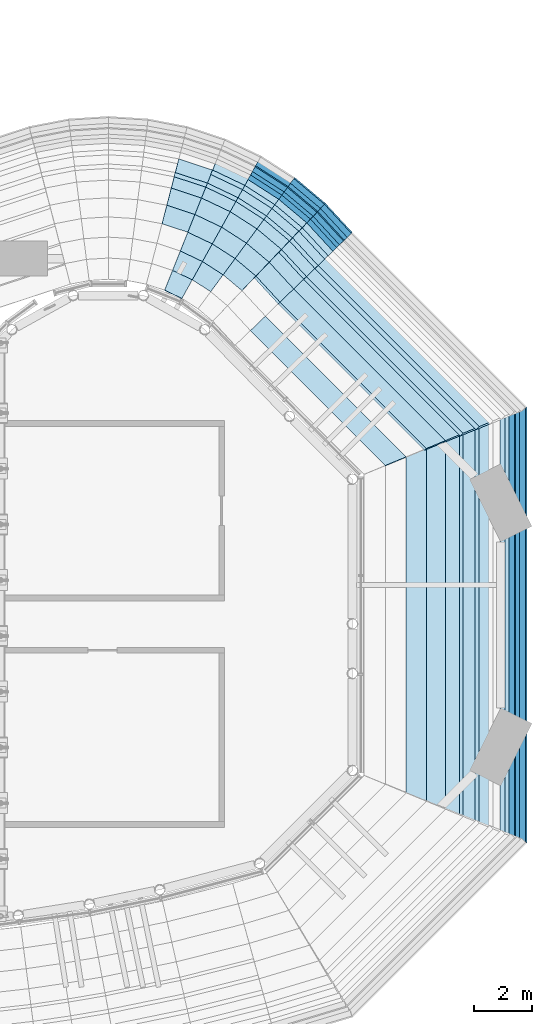
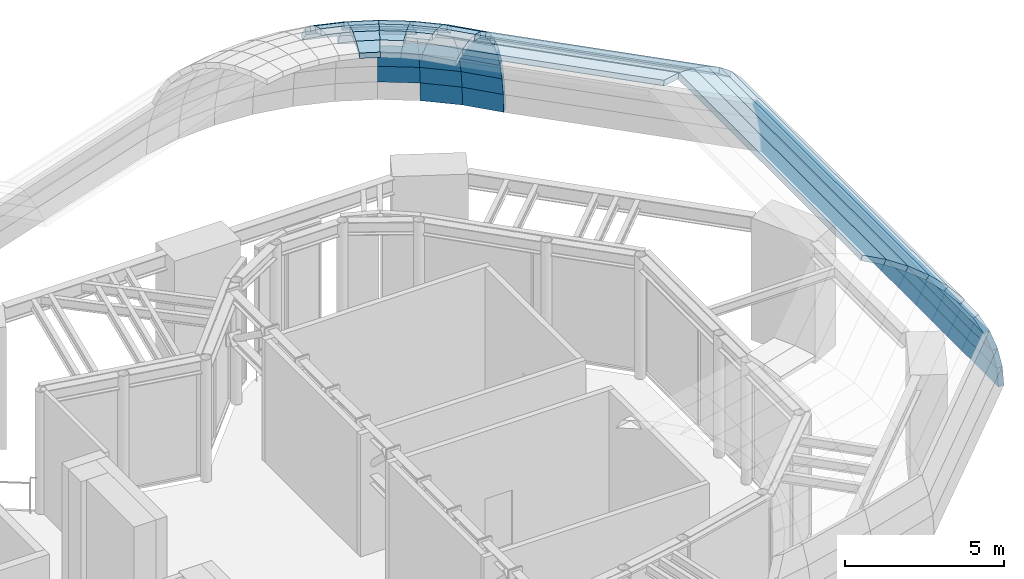
# One storey, part 14 of 20: 55 plates.
"""IFC4 building model written with IfcOpenShell, lengths in metres."""

from ifc_helpers import new_model, si_unit, direction, frame, origin, place, context, subcontext, project, spatial, polyline, outline, extrude, material, layer, layer_set, type_object, element, save


model = new_model("IFC4")

# Units and contexts
model_context = context("Model", 3, precision=1e-05, world=origin(), true_north=direction((0.0, 1.0)))
body_context = subcontext(model_context, "Body", "Model", "MODEL_VIEW")
ifc_project = project(units=[si_unit("LENGTHUNIT", "METRE"), si_unit("AREAUNIT", "SQUARE_METRE"), si_unit("VOLUMEUNIT", "CUBIC_METRE"), si_unit("PLANEANGLEUNIT", "RADIAN"), si_unit("MASSUNIT", "GRAM", prefix="KILO")], contexts=[model_context])

# Site, building, storey
site_placement = place(None, origin())
site = spatial("IfcSite", under=ifc_project, at=site_placement, CompositionType="ELEMENT")
building_placement = place(site_placement, origin())
building = spatial("IfcBuilding", under=site, at=building_placement, Name="Brevane Broadcast Tower", CompositionType="ELEMENT")
storey_placement = place(building_placement, frame((0.0, 0.0, 264.199951171875)))
storey = spatial("IfcBuildingStorey", under=building, at=storey_placement, Name="L66", CompositionType="ELEMENT", Elevation=264.199951171875)

# Plates
ifc_material = material(Name="Aluminium bronze anodised", Category="aluminium")
ifc_layer = layer(ifc_material, 0.199951171875)
ifc_layer_set = layer_set([ifc_layer], Name="Canopy shoulder plate 200")
plate_type = type_object("IfcPlateType", Name="Canopy shoulder plate 200", PredefinedType="SHEET", material=ifc_layer_set)
plate_1_placement = place(storey_placement, frame((51.300048828125, 5.10009765625, 5.150146484375), z_axis=(0.997864077995, 0.0, 0.0653244353), x_axis=(0.0, 1.0, 0.0)))
element("IfcPlate", 1, at=plate_1_placement, inside=storey, type_object=plate_type, Name="Canopy shoulder", PredefinedType="SHEET", context=body_context, shape_type="SweptSolid", body=[
    extrude(outline(polyline([(0.0, 0.0), (15.0, 0.0), (14.97998046875, 0.7325216403407512), (0.019775390625, 0.7325216403407512), (0.0, 0.0)])), origin(), (0.0, 0.0, -1.0), 0.199951171875),
])
plate_2_placement = place(storey_placement, frame((51.252197265625, 5.119873046875, 5.881103515625), z_axis=(0.980734230685, 0.0, 0.19534679102), x_axis=(0.0, 1.0, 0.0)))
element("IfcPlate", 2, at=plate_2_placement, inside=storey, type_object=plate_type, Name="Canopy shoulder", PredefinedType="SHEET", context=body_context, shape_type="SweptSolid", body=[
    extrude(outline(polyline([(0.0, 0.0), (14.960205078125, 0.0), (14.901123046875, 0.7323714175327941), (0.05908203125, 0.7323714175327941), (0.0, 0.0)])), origin(), (0.0, 0.0, -1.0), 0.199951171875),
])
plate_3_placement = place(storey_placement, frame((51.109130859375, 5.178955078125, 6.599365234375), z_axis=(0.946969644848, 0.0, 0.32132303331), x_axis=(0.0, 1.0, 0.0)))
element("IfcPlate", 3, at=plate_3_placement, inside=storey, type_object=plate_type, Name="Canopy shoulder", PredefinedType="SHEET", context=body_context, shape_type="SweptSolid", body=[
    extrude(outline(polyline([(0.0, 0.0), (14.842041015625, 0.0), (14.744384765625, 0.7324453528138131), (0.09765625, 0.7324453528138131), (0.0, 0.0)])), origin(), (0.0, 0.0, -1.0), 0.199951171875),
])
plate_4_placement = place(storey_placement, frame((50.873779296875, 5.276611328125, 7.29296875), z_axis=(0.896879925781, 0.0, 0.442274121706), x_axis=(0.0, 1.0, 0.0)))
element("IfcPlate", 4, at=plate_4_placement, inside=storey, type_object=plate_type, Name="Canopy shoulder", PredefinedType="SHEET", context=body_context, shape_type="SweptSolid", body=[
    extrude(outline(polyline([(0.0, 0.0), (14.646728515625, 0.0), (14.5126953125, 0.7325199315871372), (0.13427734375, 0.7325199315871372), (0.0, 0.0)])), origin(), (0.0, 0.0, -1.0), 0.199951171875),
])
plate_5_placement = place(storey_placement, frame((50.142822265625, 5.579345703125, 8.55908203125), z_axis=(0.751915623092, 0.0, 0.659259353934), x_axis=(0.0, 1.0, 0.0)))
element("IfcPlate", 5, at=plate_5_placement, inside=storey, type_object=plate_type, Name="Canopy shoulder", PredefinedType="SHEET", context=body_context, shape_type="SweptSolid", body=[
    extrude(outline(polyline([(0.0, 0.0), (14.041259765625, 0.0), (13.84130859375, 0.7325040643989369), (0.199951171875, 0.7325040643989369), (0.0, 0.0)])), origin(), (0.0, 0.0, -1.0), 0.199951171875),
])
plate_6_placement = place(storey_placement, frame((49.659912109375, 5.779296875, 9.10986328125), z_axis=(0.659259353934, 0.0, 0.751915623092), x_axis=(0.0, 1.0, 0.0)))
element("IfcPlate", 6, at=plate_6_placement, inside=storey, type_object=plate_type, Name="Canopy shoulder", PredefinedType="SHEET", context=body_context, shape_type="SweptSolid", body=[
    extrude(outline(polyline([(0.0, 0.0), (13.641357421875, 0.0), (13.4130859375, 0.732504064398937), (0.228271484375, 0.732504064398937), (0.0, 0.0)])), origin(), (0.0, 0.0, -1.0), 0.199951171875),
])
plate_7_placement = place(storey_placement, frame((49.109130859375, 6.007568359375, 9.5927734375), z_axis=(0.555545879432, 0.0, 0.831485884333), x_axis=(0.0, 1.0, 0.0)))
element("IfcPlate", 7, at=plate_7_placement, inside=storey, type_object=plate_type, Name="Canopy shoulder", PredefinedType="SHEET", context=body_context, shape_type="SweptSolid", body=[
    extrude(outline(polyline([(0.0, 0.0), (13.184814453125, 0.0), (12.9326171875, 0.7325811187562551), (0.252197265625, 0.7325811187562551), (0.0, 0.0)])), origin(), (0.0, 0.0, -1.0), 0.199951171875),
])
plate_8_placement = place(storey_placement, frame((48.5, 6.259765625, 9.999755859375), z_axis=(0.442274121706, 0.0, 0.896879925781), x_axis=(0.0, 1.0, 0.0)))
element("IfcPlate", 8, at=plate_8_placement, inside=storey, type_object=plate_type, Name="Canopy shoulder", PredefinedType="SHEET", context=body_context, shape_type="SweptSolid", body=[
    extrude(outline(polyline([(0.0, 0.0), (12.680419921875, 0.0), (12.408203125, 0.7325199315871374), (0.272216796875, 0.7325199315871374), (0.0, 0.0)])), origin(), (0.0, 0.0, -1.0), 0.199951171875),
])
plate_9_placement = place(storey_placement, frame((47.843017578125, 6.531982421875, 10.32373046875), z_axis=(0.321621892869, 0.0, 0.946868184082), x_axis=(0.0, 1.0, 0.0)))
element("IfcPlate", 9, at=plate_9_placement, inside=storey, type_object=plate_type, Name="Canopy shoulder", PredefinedType="SHEET", context=body_context, shape_type="SweptSolid", body=[
    extrude(outline(polyline([(0.0, 0.0), (12.135986328125, 0.0), (11.848876953125, 0.7325238373038263), (0.287353515625, 0.7325238373038263), (0.0, 0.0)])), origin(), (0.0, 0.0, -1.0), 0.199951171875),
])
plate_10_placement = place(storey_placement, frame((50.142822265625, 19.62060546875, 8.55908203125), z_axis=(0.531664067852, 0.531675636329, 0.659283199157), x_axis=(-0.707111130301, 0.707102432025, -5.393035e-06)))
element("IfcPlate", 10, at=plate_10_placement, inside=storey, type_object=plate_type, Name="Canopy shoulder", PredefinedType="SHEET", context=body_context, shape_type="SweptSolid", body=[
    extrude(outline(polyline([(0.0, 0.0), (8.029183689425292, -4.440892098500626e-16), (8.03885116548692, 0.732582092154453), (0.20008221611864369, 0.7324682777938911), (0.0, 0.0)])), origin(), (0.0, 0.0, -1.0), 0.199951171875),
])
plate_11_placement = place(storey_placement, frame((49.659912109375, 19.420654296875, 9.10986328125), z_axis=(0.466159367779, 0.466169778234, 0.751918334457), x_axis=(-0.707119017126, 0.707094545015, 5.381871e-06)))
element("IfcPlate", 11, at=plate_11_placement, inside=storey, type_object=plate_type, Name="Canopy shoulder", PredefinedType="SHEET", context=body_context, shape_type="SweptSolid", body=[
    extrude(outline(polyline([(0.0, 0.0), (7.838768950268908, 0.0), (7.849829622228561, 0.732443417991606), (0.2280609737276204, 0.7325696308571883), (0.0, 0.0)])), origin(), (0.0, 0.0, -1.0), 0.199951171875),
])
plate_12_placement = place(storey_placement, frame((49.109130859375, 19.1923828125, 9.5927734375), z_axis=(0.392865886395, 0.392865886395, 0.831452217878), x_axis=(-0.707106781187, 0.707106781187, 0.0)))
element("IfcPlate", 12, at=plate_12_placement, inside=storey, type_object=plate_type, Name="Canopy shoulder", PredefinedType="SHEET", context=body_context, shape_type="SweptSolid", body=[
    extrude(outline(polyline([(0.0, 0.0), (7.62176864975246, 0.0), (7.633852994157504, 0.7325146832475433), (0.2523901645739093, 0.7325146832475431), (0.0, 0.0)])), origin(), (0.0, 0.0, -1.0), 0.199951171875),
])
plate_13_placement = place(storey_placement, frame((48.5, 18.940185546875, 9.999755859375), z_axis=(0.312711810144, 0.312711810144, 0.896896118619), x_axis=(-0.707106781187, 0.707106781187, 0.0)))
element("IfcPlate", 13, at=plate_13_placement, inside=storey, type_object=plate_type, Name="Canopy shoulder", PredefinedType="SHEET", context=body_context, shape_type="SweptSolid", body=[
    extrude(outline(polyline([(0.0, 0.0), (7.381462829583594, 0.0), (7.3945829749376415, 0.7325743249544642), (0.2720703826049802, 0.7325743249544643), (0.0, 0.0)])), origin(), (0.0, 0.0, -1.0), 0.199951171875),
])
plate_14_placement = place(storey_placement, frame((47.1494140625, 18.380859375, 10.559326171875), z_axis=(0.137874720652, 0.137878269368, 0.980805864706), x_axis=(-0.707124272678, 0.707089289258, 2.359356e-06)))
element("IfcPlate", 14, at=plate_14_placement, inside=storey, type_object=plate_type, Name="Canopy shoulder", PredefinedType="SHEET", context=body_context, shape_type="SweptSolid", body=[
    extrude(outline(polyline([(0.0, 0.0), (6.848888510460064, 8.881784197001252e-16), (6.863235196507012, 0.7323883775172259), (0.2976382497824399, 0.7325506938530353), (0.0, 0.0)])), origin(), (0.0, 0.0, -1.0), 0.199951171875),
])
plate_15_placement = place(storey_placement, frame((45.300048828125, 26.10009765625, 5.150146484375), z_axis=(0.733222929886, 0.676841655912, 0.065341471597), x_axis=(-0.678291489058, 0.734792933984, 6.22475e-06)))
element("IfcPlate", 15, at=plate_15_placement, inside=storey, type_object=plate_type, Name="Canopy shoulder", PredefinedType="SHEET", context=body_context, shape_type="SweptSolid", body=[
    extrude(outline(polyline([(0.0, 0.0), (1.373009383295393, 6.938893903907228e-18), (1.3698959534367836, 0.7325139136481083), (-0.000877883465223185, 0.7325310295904934), (0.0, 0.0)])), origin(), (0.0, 0.0, -1.0), 0.199951171875),
])
plate_16_placement = place(storey_placement, frame((45.265380859375, 26.06689453125, 5.881103515625), z_axis=(0.72069278937, 0.665194279901, 0.195239528111), x_axis=(-0.678245754364, 0.734835149297, -6.727076e-06)))
element("IfcPlate", 16, at=plate_16_placement, inside=storey, type_object=plate_type, Name="Canopy shoulder", PredefinedType="SHEET", context=body_context, shape_type="SweptSolid", body=[
    extrude(outline(polyline([(0.0, 0.0), (1.3707738424356546, 0.0), (1.361585561432007, 0.732364807118011), (-0.0029646370434851417, 0.7323460453259392), (0.0, 0.0)])), origin(), (0.0, 0.0, -1.0), 0.199951171875),
])
plate_17_placement = place(storey_placement, frame((45.162353515625, 25.9677734375, 6.599365234375), z_axis=(0.695816488052, 0.642331388335, 0.321325072964), x_axis=(-0.678299401534, 0.734785629776, -1.2343511e-05)))
element("IfcPlate", 17, at=plate_17_placement, inside=storey, type_object=plate_type, Name="Canopy shoulder", PredefinedType="SHEET", context=body_context, shape_type="SweptSolid", body=[
    extrude(outline(polyline([(0.0, 0.0), (1.3645501984150537, 0.0), (1.3496028052743954, 0.7324634799287615), (-0.004749459115749091, 0.7324280396944589), (0.0, 0.0)])), origin(), (0.0, 0.0, -1.0), 0.199951171875),
])
plate_18_placement = place(storey_placement, frame((44.99267578125, 25.8046875, 7.29296875), z_axis=(0.658987468051, 0.608283623407, 0.442409934841), x_axis=(-0.67828430696, 0.734799563068, 3.2362207e-05)))
element("IfcPlate", 18, at=plate_18_placement, inside=storey, type_object=plate_type, Name="Canopy shoulder", PredefinedType="SHEET", context=body_context, shape_type="SweptSolid", body=[
    extrude(outline(polyline([(0.0, 0.0), (1.3543522622447308, 0.0), (1.333813907951736, 0.7325265144579414), (-0.006379918275601552, 0.7326237492916), (0.0, 0.0)])), origin(), (0.0, 0.0, -1.0), 0.199951171875),
])
plate_19_placement = place(storey_placement, frame((44.7587890625, 25.580078125, 7.949951171875), z_axis=(0.611004174919, 0.563962800334, 0.555535649684), x_axis=(-0.678240655056, 0.734839855445, -2.6048436e-05)))
element("IfcPlate", 19, at=plate_19_placement, inside=storey, type_object=plate_type, Name="Canopy shoulder", PredefinedType="SHEET", context=body_context, shape_type="SweptSolid", body=[
    extrude(outline(polyline([(0.0, 0.0), (1.3401938319431954, 0.0), (1.3141989831149223, 0.7326162677108528), (-0.008193299928911765, 0.7325328560323205), (0.0, 0.0)])), origin(), (0.0, 0.0, -1.0), 0.199951171875),
])
plate_20_placement = place(storey_placement, frame((44.46533203125, 25.298095703125, 8.55908203125), z_axis=(0.552427856821, 0.509965692823, 0.65936215781), x_axis=(-0.678299876201, 0.734785191683, -5.296727e-06)))
element("IfcPlate", 20, at=plate_20_placement, inside=storey, type_object=plate_type, Name="Canopy shoulder", PredefinedType="SHEET", context=body_context, shape_type="SweptSolid", body=[
    extrude(outline(polyline([(0.0, 0.0), (1.322392287124903, 5.551115123125783e-17), (1.291849957102851, 0.7326009970537675), (-0.009635870086570957, 0.7325825114261719), (0.0, 0.0)])), origin(), (0.0, 0.0, -1.0), 0.199951171875),
])
plate_21_placement = place(storey_placement, frame((44.116943359375, 24.96337890625, 9.10986328125), z_axis=(0.48441619483, 0.447215827337, 0.751890253937), x_axis=(-0.678319938861, 0.734766670694, -1.3460572e-05)))
element("IfcPlate", 21, at=plate_21_placement, inside=storey, type_object=plate_type, Name="Canopy shoulder", PredefinedType="SHEET", context=body_context, shape_type="SweptSolid", body=[
    extrude(outline(polyline([(0.0, 0.0), (1.3014858271554965, 1.1102230246251565e-16), (1.2663476939417935, 0.7324977726306947), (-0.010947361030028215, 0.7324451221183281), (0.0, 0.0)])), origin(), (0.0, 0.0, -1.0), 0.199951171875),
])
plate_22_placement = place(storey_placement, frame((43.7197265625, 24.581787109375, 9.5927734375), z_axis=(0.408292029663, 0.376901460948, 0.831410191933), x_axis=(-0.678334441905, 0.734753280845, 3.4833695e-05)))
element("IfcPlate", 22, at=plate_22_placement, inside=storey, type_object=plate_type, Name="Canopy shoulder", PredefinedType="SHEET", context=body_context, shape_type="SweptSolid", body=[
    extrude(outline(polyline([(0.0, 0.0), (1.2772950551484032, 0.0), (1.238660057171865, 0.7323541318457716), (-0.012208665484423837, 0.7325126198067742), (0.0, 0.0)])), origin(), (0.0, 0.0, -1.0), 0.199951171875),
])
plate_23_placement = place(storey_placement, frame((43.280517578125, 24.15966796875, 9.999755859375), z_axis=(0.324955611184, 0.299942235955, 0.896904959207), x_axis=(-0.678243487473, 0.73483724156, -1.0813066e-05)))
element("IfcPlate", 23, at=plate_23_placement, inside=storey, type_object=plate_type, Name="Canopy shoulder", PredefinedType="SHEET", context=body_context, shape_type="SweptSolid", body=[
    extrude(outline(polyline([(0.0, 0.0), (1.2508687337505258, -2.220446049250313e-16), (1.209171362279284, 0.7326335932940791), (-0.013187303530682924, 0.732573118940881), (0.0, 0.0)])), origin(), (0.0, 0.0, -1.0), 0.199951171875),
])
plate_24_placement = place(storey_placement, frame((44.36865234375, 27.10888671875, 5.150146484375), z_axis=(0.641568562908, 0.76428022151, 0.06531096459), x_axis=(-0.765915285673, 0.642941502121, -4.662625e-06)))
element("IfcPlate", 24, at=plate_24_placement, inside=storey, type_object=plate_type, Name="Canopy shoulder", PredefinedType="SHEET", context=body_context, shape_type="SweptSolid", body=[
    extrude(outline(polyline([(0.0, 0.0), (1.3729671892251556, 0.0), (1.3696968069989914, 0.7325273931062929), (0.002950905850949638, 0.7325145915197072), (0.0, 0.0)])), origin(), (0.0, 0.0, -1.0), 0.199951171875),
])
plate_25_placement = place(storey_placement, frame((44.335693359375, 27.07421875, 5.881103515625), z_axis=(0.630561258998, 0.751188835883, 0.195212272912), x_axis=(-0.765925864054, 0.642928900152, 1.1090881e-05)))
element("IfcPlate", 25, at=plate_25_placement, inside=storey, type_object=plate_type, Name="Canopy shoulder", PredefinedType="SHEET", context=body_context, shape_type="SweptSolid", body=[
    extrude(outline(polyline([(0.0, 0.0), (1.366745902516871, 0.0), (1.3577401381590903, 0.732336062803743), (0.009030229919124179, 0.732366770383175), (0.0, 0.0)])), origin(), (0.0, 0.0, -1.0), 0.199951171875),
])
plate_26_placement = place(storey_placement, frame((44.23681640625, 26.970458984375, 6.599365234375), z_axis=(0.608857546363, 0.725255508607, 0.321398406143), x_axis=(-0.765890149506, 0.642971444846, -1.820295e-06)))
element("IfcPlate", 26, at=plate_26_placement, inside=storey, type_object=plate_type, Name="Canopy shoulder", PredefinedType="SHEET", context=body_context, shape_type="SweptSolid", body=[
    extrude(outline(polyline([(0.0, 0.0), (1.3487099108032583, 0.0), (1.3337240954024987, 0.7324677012595654), (0.014991825760455563, 0.7324625736792005), (0.0, 0.0)])), origin(), (0.0, 0.0, -1.0), 0.199951171875),
])
plate_27_placement = place(storey_placement, frame((44.073974609375, 26.7998046875, 7.29296875), z_axis=(0.576602888866, 0.686913928597, 0.442355471596), x_axis=(-0.765920732348, 0.642935013321, -2.0139727e-05)))
element("IfcPlate", 27, at=plate_27_placement, inside=storey, type_object=plate_type, Name="Canopy shoulder", PredefinedType="SHEET", context=body_context, shape_type="SweptSolid", body=[
    extrude(outline(polyline([(0.0, 0.0), (1.3187322683073788, 0.0), (1.2981448324066718, 0.7325818527298055), (0.0206439339539965, 0.7325235508719745), (0.0, 0.0)])), origin(), (0.0, 0.0, -1.0), 0.199951171875),
])
plate_28_placement = place(storey_placement, frame((43.849853515625, 26.56494140625, 7.949951171875), z_axis=(0.534605341377, 0.63685580937, 0.555528403453), x_axis=(-0.765928601505, 0.642925638217, 3.3470452e-05)))
element("IfcPlate", 28, at=plate_28_placement, inside=storey, type_object=plate_type, Name="Canopy shoulder", PredefinedType="SHEET", context=body_context, shape_type="SweptSolid", body=[
    extrude(outline(polyline([(0.0, 0.0), (1.2775008988752312, 0.0), (1.251872650610228, 0.73252044038389), (0.025855002370509854, 0.7326212150608569), (0.0, 0.0)])), origin(), (0.0, 0.0, -1.0), 0.199951171875),
])
plate_29_placement = place(storey_placement, frame((43.568359375, 26.269775390625, 8.55908203125), z_axis=(0.483502238213, 0.575810003514, 0.659293884012), x_axis=(-0.765840732961, 0.643030303004, 3.4017408e-05)))
element("IfcPlate", 29, at=plate_29_placement, inside=storey, type_object=plate_type, Name="Canopy shoulder", PredefinedType="SHEET", context=body_context, shape_type="SweptSolid", body=[
    extrude(outline(polyline([(0.0, 0.0), (1.2260176531654805, -5.551115123125783e-17), (1.1951737178402786, 0.7324794881379233), (0.030861145553942385, 0.7325876334020776), (0.0, 0.0)])), origin(), (0.0, 0.0, -1.0), 0.199951171875),
])
plate_30_placement = place(storey_placement, frame((43.234130859375, 25.919677734375, 9.10986328125), z_axis=(0.423962536336, 0.504836062174, 0.751928399591), x_axis=(-0.765776952233, 0.643106258264, -3.314206e-06)))
element("IfcPlate", 30, at=plate_30_placement, inside=storey, type_object=plate_type, Name="Canopy shoulder", PredefinedType="SHEET", context=body_context, shape_type="SweptSolid", body=[
    extrude(outline(polyline([(0.0, 0.0), (1.1643125790159294, -1.1102230246251565e-16), (1.129265447034805, 0.7325259333895964), (0.03478604772090703, 0.7325145778175115), (0.0, 0.0)])), origin(), (0.0, 0.0, -1.0), 0.199951171875),
])
plate_31_placement = place(storey_placement, frame((42.853271484375, 25.520263671875, 9.5927734375), z_axis=(0.357247314737, 0.425536092936, 0.831440550925), x_axis=(-0.765815080909, 0.643060849847, -7.2428899e-05)))
element("IfcPlate", 31, at=plate_31_placement, inside=storey, type_object=plate_type, Name="Canopy shoulder", PredefinedType="SHEET", context=body_context, shape_type="SweptSolid", body=[
    extrude(outline(polyline([(0.0, 0.0), (1.0944793952320575, 0.0), (1.0556858247418297, 0.7326292888848147), (0.038636781999685184, 0.732354033477333), (0.0, 0.0)])), origin(), (0.0, 0.0, -1.0), 0.199951171875),
])
plate_32_placement = place(storey_placement, frame((42.43212890625, 25.078857421875, 9.999755859375), z_axis=(0.284324918363, 0.338743024817, 0.896890463733), x_axis=(-0.765984583553, 0.642858940212, 2.7341407e-05)))
element("IfcPlate", 32, at=plate_32_placement, inside=storey, type_object=plate_type, Name="Canopy shoulder", PredefinedType="SHEET", context=body_context, shape_type="SweptSolid", body=[
    extrude(outline(polyline([(0.0, 0.0), (1.017049083986237, 5.551115123125783e-17), (0.9753495898331211, 0.7324950304663886), (0.04201215436281815, 0.7326156092812565), (0.0, 0.0)])), origin(), (0.0, 0.0, -1.0), 0.199951171875),
])
plate_33_placement = place(storey_placement, frame((41.9775390625, 24.6025390625, 10.32373046875), z_axis=(0.20680588912, 0.246321531896, 0.946866953246), x_axis=(-0.765896895107, 0.642963409356, 1.7168644e-05)))
element("IfcPlate", 33, at=plate_33_placement, inside=storey, type_object=plate_type, Name="Canopy shoulder", PredefinedType="SHEET", context=body_context, shape_type="SweptSolid", body=[
    extrude(outline(polyline([(0.0, 0.0), (0.9333374436206912, 0.0), (0.8891915433373635, 0.7324681195294283), (0.04406722249871146, 0.7325630553321116), (0.0, 0.0)])), origin(), (0.0, 0.0, -1.0), 0.199951171875),
])
plate_34_placement = place(storey_placement, frame((43.288818359375, 27.952880859375, 5.881103515625), z_axis=(0.530422676028, 0.82499417879, 0.195029202219), x_axis=(-0.841147126078, 0.540806353733, 7.259766e-06)))
element("IfcPlate", 34, at=plate_34_placement, inside=storey, type_object=plate_type, Name="Canopy shoulder", PredefinedType="SHEET", context=body_context, shape_type="SweptSolid", body=[
    extrude(outline(polyline([(0.0, 0.0), (1.3670323737624512, 1.3877787807814457e-17), (1.3579638767050566, 0.7323141700563215), (0.009150380650670614, 0.7323342724799551), (0.0, 0.0)])), origin(), (0.0, 0.0, -1.0), 0.199951171875),
])
plate_35_placement = place(storey_placement, frame((43.203857421875, 27.837646484375, 6.599365234375), z_axis=(0.512077594056, 0.796497743607, 0.321508758971), x_axis=(-0.841154339892, 0.540795133257, -1.8079728e-05)))
element("IfcPlate", 35, at=plate_35_placement, inside=storey, type_object=plate_type, Name="Canopy shoulder", PredefinedType="SHEET", context=body_context, shape_type="SweptSolid", body=[
    extrude(outline(polyline([(0.0, 0.0), (1.3488134950314248, -5.551115123125783e-17), (1.3337547273650059, 0.7325195814224077), (0.01493932094126299, 0.7324686471424966), (0.0, 0.0)])), origin(), (0.0, 0.0, -1.0), 0.199951171875),
])
plate_36_placement = place(storey_placement, frame((43.06396484375, 27.647705078125, 7.29296875), z_axis=(0.484963190476, 0.754387185185, 0.442391996663), x_axis=(-0.841180829644, 0.54075392903, 8.825911e-06)))
element("IfcPlate", 36, at=plate_36_placement, inside=storey, type_object=plate_type, Name="Canopy shoulder", PredefinedType="SHEET", context=body_context, shape_type="SweptSolid", body=[
    extrude(outline(polyline([(0.0, 0.0), (1.3188154093260203, 0.0), (1.298286034759131, 0.732554640600448), (0.02064647634892871, 0.7325801931480799), (0.0, 0.0)])), origin(), (0.0, 0.0, -1.0), 0.199951171875),
])
plate_37_placement = place(storey_placement, frame((42.871337890625, 27.38623046875, 7.949951171875), z_axis=(0.449702361183, 0.699491950442, 0.555408676213), x_axis=(-0.84116368843, 0.540780592531, 2.926489e-06)))
element("IfcPlate", 37, at=plate_37_placement, inside=storey, type_object=plate_type, Name="Canopy shoulder", PredefinedType="SHEET", context=body_context, shape_type="SweptSolid", body=[
    extrude(outline(polyline([(0.0, 0.0), (1.2776395589189056, -5.551115123125783e-17), (1.2517687903867674, 0.7324959705575667), (0.02607211925351725, 0.7325047803024205), (0.0, 0.0)])), origin(), (0.0, 0.0, -1.0), 0.199951171875),
])
plate_38_placement = place(storey_placement, frame((42.62939453125, 27.05810546875, 8.55908203125), z_axis=(0.406602492978, 0.632484233033, 0.659270890961), x_axis=(-0.84116816022, 0.540773636575, -1.4755413e-05)))
element("IfcPlate", 38, at=plate_38_placement, inside=storey, type_object=plate_type, Name="Canopy shoulder", PredefinedType="SHEET", context=body_context, shape_type="SweptSolid", body=[
    extrude(outline(polyline([(0.0, 0.0), (1.2256966708764048, 5.551115123125783e-17), (1.1949918075199022, 0.7325373695895276), (0.03058217189266694, 0.7324904660816722), (0.0, 0.0)])), origin(), (0.0, 0.0, -1.0), 0.199951171875),
])
plate_39_placement = place(storey_placement, frame((42.342529296875, 26.66845703125, 9.10986328125), z_axis=(0.356469810623, 0.55454817831, 0.751934566334), x_axis=(-0.841193809262, 0.540733737847, -3.605883e-06)))
element("IfcPlate", 39, at=plate_39_placement, inside=storey, type_object=plate_type, Name="Canopy shoulder", PredefinedType="SHEET", context=body_context, shape_type="SweptSolid", body=[
    extrude(outline(polyline([(0.0, 0.0), (1.1644096368816559, -5.551115123125783e-17), (1.1295846675227335, 0.7325342505252572), (0.03513143625593819, 0.7325218950517128), (0.0, 0.0)])), origin(), (0.0, 0.0, -1.0), 0.199951171875),
])
plate_40_placement = place(storey_placement, frame((42.01513671875, 26.22412109375, 9.5927734375), z_axis=(0.300480006618, 0.467327681877, 0.831454510706), x_axis=(-0.841179588454, 0.540755856843, 5.7089432e-05)))
element("IfcPlate", 40, at=plate_40_placement, inside=storey, type_object=plate_type, Name="Canopy shoulder", PredefinedType="SHEET", context=body_context, shape_type="SweptSolid", body=[
    extrude(outline(polyline([(0.0, 0.0), (1.0944532287708884, 5.551115123125783e-17), (1.0556635746470207, 0.7324107372536015), (0.03882396433943561, 0.7326276812128659), (0.0, 0.0)])), origin(), (0.0, 0.0, -1.0), 0.199951171875),
])
plate_41_placement = place(storey_placement, frame((41.653076171875, 25.732666015625, 9.999755859375), z_axis=(0.23922171039, 0.371981178456, 0.896885152153), x_axis=(-0.841066032505, 0.540932462207, -1.7215036e-05)))
element("IfcPlate", 41, at=plate_41_placement, inside=storey, type_object=plate_type, Name="Canopy shoulder", PredefinedType="SHEET", context=body_context, shape_type="SweptSolid", body=[
    extrude(outline(polyline([(0.0, 0.0), (1.0168396360397127, 5.551115123125783e-17), (0.9750962057014022, 0.7325754420812682), (0.041620450725491795, 0.7324995263700377), (0.0, 0.0)])), origin(), (0.0, 0.0, -1.0), 0.199951171875),
])
plate_42_placement = place(storey_placement, frame((41.2626953125, 25.20263671875, 10.32373046875), z_axis=(0.173936221538, 0.270528214615, 0.946868880012), x_axis=(-0.841113829294, 0.540858138368, -1.8191729e-05)))
element("IfcPlate", 42, at=plate_42_placement, inside=storey, type_object=plate_type, Name="Canopy shoulder", PredefinedType="SHEET", context=body_context, shape_type="SweptSolid", body=[
    extrude(outline(polyline([(0.0, 0.0), (0.933475758094622, 5.551115123125783e-17), (0.8891468851609667, 0.7325787976219064), (0.043978451096032975, 0.7324781924690672), (0.0, 0.0)])), origin(), (0.0, 0.0, -1.0), 0.199951171875),
])
plate_43_placement = place(storey_placement, frame((40.8505859375, 24.64306640625, 10.559326171875), z_axis=(0.10545403264, 0.164016449976, 0.980804797672), x_axis=(-0.84117715495, 0.540759645166, 1.2281612e-05)))
element("IfcPlate", 43, at=plate_43_placement, inside=storey, type_object=plate_type, Name="Canopy shoulder", PredefinedType="SHEET", context=body_context, shape_type="SweptSolid", body=[
    extrude(outline(polyline([(0.0, 0.0), (0.845168440176755, -5.551115123125783e-17), (0.7995772241109775, 0.7324009016001438), (0.04576724392754691, 0.7325016135000966), (0.0, 0.0)])), origin(), (0.0, 0.0, -1.0), 0.199951171875),
])
plate_44_placement = place(storey_placement, frame((41.796630859375, 28.0771484375, 7.949951171875), z_axis=(0.357583157854, 0.750770535779, 0.555407857187), x_axis=(-0.90282593231, 0.430006204545, -1.15358e-06)))
element("IfcPlate", 44, at=plate_44_placement, inside=storey, type_object=plate_type, Name="Canopy shoulder", PredefinedType="SHEET", context=body_context, shape_type="SweptSolid", body=[
    extrude(outline(polyline([(0.0, 0.0), (1.2774569493307681, 0.0), (1.2516128108392397, 0.732501630189462), (0.02580877109948965, 0.7324981576223444), (0.0, 0.0)])), origin(), (0.0, 0.0, -1.0), 0.199951171875),
])
plate_45_placement = place(storey_placement, frame((41.598388671875, 27.720947265625, 8.55908203125), z_axis=(0.323321506425, 0.678821566578, 0.659290895001), x_axis=(-0.902824766762, 0.43000865165, 5.334629e-06)))
element("IfcPlate", 45, at=plate_45_placement, inside=storey, type_object=plate_type, Name="Canopy shoulder", PredefinedType="SHEET", context=body_context, shape_type="SweptSolid", body=[
    extrude(outline(polyline([(0.0, 0.0), (1.2258040397074126, 5.551115123125783e-17), (1.1950857704183255, 0.7325225278683479), (0.0306543274963201, 0.732539486538996), (0.0, 0.0)])), origin(), (0.0, 0.0, -1.0), 0.199951171875),
])
plate_46_placement = place(storey_placement, frame((41.363037109375, 27.298095703125, 9.10986328125), z_axis=(0.283433051638, 0.595152408329, 0.751970289373), x_axis=(-0.902829464825, 0.429998786626, -3.0723441e-05)))
element("IfcPlate", 46, at=plate_46_placement, inside=storey, type_object=plate_type, Name="Canopy shoulder", PredefinedType="SHEET", context=body_context, shape_type="SweptSolid", body=[
    extrude(outline(polyline([(0.0, 0.0), (1.164431442115839, 5.551115123125783e-17), (1.129434214533771, 0.7326259940276394), (0.03510840741092652, 0.7325207192839482), (0.0, 0.0)])), origin(), (0.0, 0.0, -1.0), 0.199951171875),
])
plate_47_placement = place(storey_placement, frame((41.094482421875, 26.81591796875, 9.5927734375), z_axis=(0.238900386807, 0.501703663312, 0.831396439373), x_axis=(-0.902870389855, 0.429912850526, 8.700253e-06)))
element("IfcPlate", 47, at=plate_47_placement, inside=storey, type_object=plate_type, Name="Canopy shoulder", PredefinedType="SHEET", context=body_context, shape_type="SweptSolid", body=[
    extrude(outline(polyline([(0.0, 0.0), (1.094325813160834, 0.0), (1.0556010285604156, 0.7323881313295637), (0.03859188511883562, 0.7324211884089578), (0.0, 0.0)])), origin(), (0.0, 0.0, -1.0), 0.199951171875),
])
plate_48_placement = place(storey_placement, frame((40.7978515625, 26.28271484375, 9.999755859375), z_axis=(0.190080068737, 0.399256708154, 0.896918975417), x_axis=(-0.902864187394, 0.429925874609, -3.8244978e-05)))
element("IfcPlate", 48, at=plate_48_placement, inside=storey, type_object=plate_type, Name="Canopy shoulder", PredefinedType="SHEET", context=body_context, shape_type="SweptSolid", body=[
    extrude(outline(polyline([(0.0, 0.0), (1.0170091431187365, 0.0), (0.975258078384996, 0.7327354773276391), (0.041894946825571835, 0.7325667916632639), (0.0, 0.0)])), origin(), (0.0, 0.0, -1.0), 0.199951171875),
])
plate_49_placement = place(storey_placement, frame((40.4775390625, 25.70751953125, 10.32373046875), z_axis=(0.138271674691, 0.290405835287, 0.946860810684), x_axis=(-0.902936294545, 0.429774413001, 4.3846142e-05)))
element("IfcPlate", 49, at=plate_49_placement, inside=storey, type_object=plate_type, Name="Canopy shoulder", PredefinedType="SHEET", context=body_context, shape_type="SweptSolid", body=[
    extrude(outline(polyline([(0.0, 0.0), (0.9333631468093144, -5.551115123125783e-17), (0.8893897366547273, 0.7323531675022683), (0.0440496590895329, 0.7325956385949899), (0.0, 0.0)])), origin(), (0.0, 0.0, -1.0), 0.199951171875),
])
plate_50_placement = place(storey_placement, frame((40.1396484375, 25.10009765625, 10.559326171875), z_axis=(0.083822651818, 0.176039475445, 0.980807762065), x_axis=(-0.902814723392, 0.430029736796, -2.639159e-05)))
element("IfcPlate", 50, at=plate_50_placement, inside=storey, type_object=plate_type, Name="Canopy shoulder", PredefinedType="SHEET", context=body_context, shape_type="SweptSolid", body=[
    extrude(outline(polyline([(0.0, 0.0), (0.845340113138389, 5.551115123125783e-17), (0.7994534135313074, 0.7326154963185716), (0.04562116022389675, 0.7323990367152933), (0.0, 0.0)])), origin(), (0.0, 0.0, -1.0), 0.199951171875),
])
plate_51_placement = place(storey_placement, frame((39.78955078125, 24.47119140625, 10.7021484375), z_axis=(0.028072907307, 0.058974517839, 0.997864679263), x_axis=(-0.902938254186, 0.429770298091, 2.611378e-06)))
element("IfcPlate", 51, at=plate_51_placement, inside=storey, type_object=plate_type, Name="Canopy shoulder", PredefinedType="SHEET", context=body_context, shape_type="SweptSolid", body=[
    extrude(outline(polyline([(0.0, 0.0), (0.7538322847257181, 0.0), (0.7076333890513858, 0.7325963639376427), (0.04651604079406002, 0.7326529352399982), (0.0, 0.0)])), origin(), (0.0, 0.0, -1.0), 0.199951171875),
])
plate_52_placement = place(storey_placement, frame((40.49169921875, 28.248046875, 8.55908203125), z_axis=(0.234577617829, 0.714329158318, 0.659323285491), x_axis=(-0.950076613432, 0.312016711133, -2.4154935e-05)))
element("IfcPlate", 52, at=plate_52_placement, inside=storey, type_object=plate_type, Name="Canopy shoulder", PredefinedType="SHEET", context=body_context, shape_type="SweptSolid", body=[
    extrude(outline(polyline([(0.0, 0.0), (1.2260121359934448, -2.7755575615628914e-17), (1.1953294190238601, 0.7325970821707197), (0.03077178273494121, 0.7325202805185567), (0.0, 0.0)])), origin(), (0.0, 0.0, -1.0), 0.199951171875),
])
plate_53_placement = place(storey_placement, frame((40.311767578125, 27.798828125, 9.10986328125), z_axis=(0.205708792885, 0.626318077402, 0.751937203793), x_axis=(-0.950085818549, 0.311988677662, 4.9017533e-05)))
element("IfcPlate", 53, at=plate_53_placement, inside=storey, type_object=plate_type, Name="Canopy shoulder", PredefinedType="SHEET", context=body_context, shape_type="SweptSolid", body=[
    extrude(outline(polyline([(0.0, 0.0), (1.1645576372132087, 5.551115123125783e-17), (1.1294415212645956, 0.7324474369049988), (0.03521848038789977, 0.7326153890021943), (0.0, 0.0)])), origin(), (0.0, 0.0, -1.0), 0.199951171875),
])
plate_54_placement = place(storey_placement, frame((40.1064453125, 27.286376953125, 9.5927734375), z_axis=(0.173445745326, 0.52792026597, 0.831394470878), x_axis=(-0.950036631648, 0.312138428423, -5.280874e-06)))
element("IfcPlate", 54, at=plate_54_placement, inside=storey, type_object=plate_type, Name="Canopy shoulder", PredefinedType="SHEET", context=body_context, shape_type="SweptSolid", body=[
    extrude(outline(polyline([(0.0, 0.0), (1.094223056377546, 0.0), (1.0555393022519652, 0.7324108081161231), (0.0386753109476687, 0.7323907456137708), (0.0, 0.0)])), origin(), (0.0, 0.0, -1.0), 0.199951171875),
])
plate_55_placement = place(storey_placement, frame((39.879638671875, 26.719970703125, 9.999755859375), z_axis=(0.1380562814, 0.420091868302, 0.896918772996), x_axis=(-0.950037326995, 0.312136309948, 3.6452515e-05)))
element("IfcPlate", 55, at=plate_55_placement, inside=storey, type_object=plate_type, Name="Canopy shoulder", PredefinedType="SHEET", context=body_context, shape_type="SweptSolid", body=[
    extrude(outline(polyline([(0.0, 0.0), (1.0168639906861527, -5.551115123125783e-17), (0.9752375041691967, 0.7325700537391351), (0.041832639490800315, 0.7327308247827647), (0.0, 0.0)])), origin(), (0.0, 0.0, -1.0), 0.199951171875),
])

save(model, "model.ifc")
